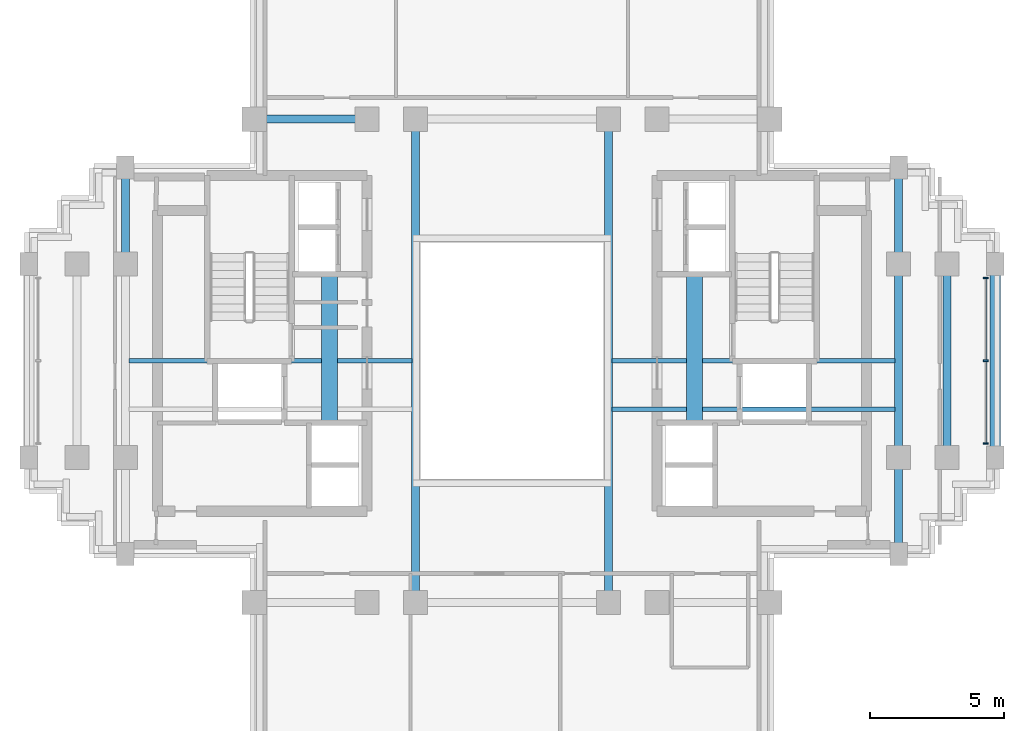
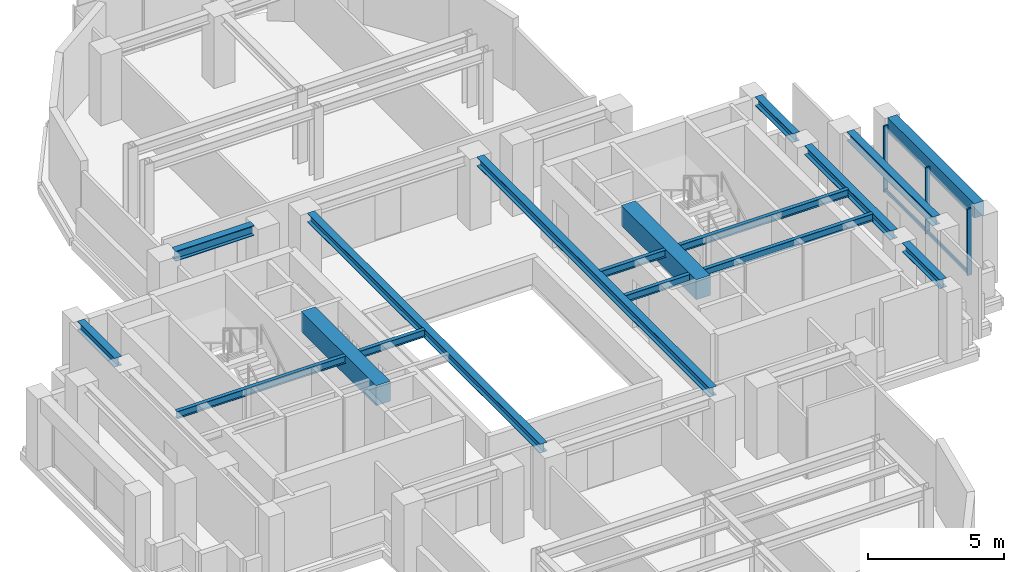
# One storey, part 3 of 11: 14 beams, 5 members, 1 element without a shape of its own.
"""IFC4 building model written with IfcOpenShell, lengths in metres."""

from ifc_helpers import new_model, si_unit, direction, frame, origin, origin_2d, place, context, subcontext, project, spatial, rectangle, i_section, extrude, source, transform, mapped, material, material_profile, profile_set, type_object, element, aggregate, save


model = new_model("IFC4")

# Units and contexts
model_context = context("Model", 3, precision=1e-05, world=origin(), true_north=direction((0.0, 1.0)))
body_context = subcontext(model_context, "Body", "Model", "MODEL_VIEW")
ifc_project = project(units=[si_unit("LENGTHUNIT", "METRE"), si_unit("AREAUNIT", "SQUARE_METRE"), si_unit("VOLUMEUNIT", "CUBIC_METRE"), si_unit("PLANEANGLEUNIT", "RADIAN"), si_unit("MASSUNIT", "GRAM", prefix="KILO")], contexts=[model_context])

# Site, building, storey
site_placement = place(None, origin())
site = spatial("IfcSite", under=ifc_project, at=site_placement, CompositionType="ELEMENT")
building_placement = place(site_placement, origin())
building = spatial("IfcBuilding", under=site, at=building_placement, Name="Keilestroom Media Tower", CompositionType="ELEMENT")
storey_placement = place(building_placement, frame((0.0, 0.0, 180.800048828125)))
storey = spatial("IfcBuildingStorey", under=building, at=storey_placement, Name="L49", CompositionType="ELEMENT", Elevation=180.800048828125)

# Beams
ifc_material_1 = material(Name="Concrete C70/85", Category="concrete")
ifc_material_profile_1 = material_profile(ifc_material_1, rectangle(XDim=0.60009765625, YDim=0.89990234375, at=origin_2d()), Name="RC 600x900")
ifc_profile_set_1 = profile_set([ifc_material_profile_1], Name="Concrete C70/85")
beam_type_1 = type_object("IfcBeamType", Name="Core-Coupling-Lintel-Beam-RC-600x900", PredefinedType="LINTEL", material=ifc_profile_set_1)
shared_shape_1 = source(origin(), body_context, "Body", "SweptSolid", [
    extrude(rectangle(XDim=0.60009765625, YDim=0.89990234375, at=origin_2d()), origin(), (0.0, 0.0, 1.0), 5.52001953125),
])
for number, where, z_axis, x_axis, name in (
    (1, (-6.800048828125, -2.300048828125, 2.75), (0.0, 1.0, 0.0), (-1.0, 0.0, 0.0), "L49 Beam CLB-1 CLB-L49-W"),
    (2, (6.800048828125, -2.300048828125, 2.75), (0.0, 1.0, 0.0), (-1.0, 0.0, 0.0), "L49 Beam CLB-1 CLB-L49-E"),
):
    element("IfcBeam", number, at=place(storey_placement, frame(where, z_axis=z_axis, x_axis=x_axis)), inside=storey, type_object=beam_type_1, Name=name, PredefinedType="LINTEL", context=body_context, shape_type="MappedRepresentation", body=[
        mapped(shared_shape_1, transform((0.0, 0.0, 0.0), x_axis=(1.0, 0.0, 0.0), y_axis=(0.0, 1.0, 0.0), z_axis=(0.0, 0.0, 1.0), scale=1.0)),
    ])
ifc_material_2 = material(Name="Steel S355", Category="steel")
ifc_material_profile_2 = material_profile(ifc_material_2, i_section(OverallWidth=0.300048828125, OverallDepth=0.449951171875, WebThickness=0.011962890625, FlangeThickness=0.02587890625, at=origin_2d()), Name="HEB 450")
ifc_profile_set_2 = profile_set([ifc_material_profile_2], Name="Steel S355")
beam_type_2 = type_object("IfcBeamType", Name="Primary-Structural-Girder-HEB-450", PredefinedType="BEAM", material=ifc_profile_set_2)
shared_shape_2 = source(origin(), body_context, "Body", "SweptSolid", [
    extrude(i_section(OverallWidth=0.300048828125, OverallDepth=0.449951171875, WebThickness=0.011962890625, FlangeThickness=0.02587890625, at=origin_2d()), origin(), (0.0, 0.0, 1.0), 3.33984375),
])
beam_1_placement = place(storey_placement, frame((-9.169921875, 9.0, 2.974853515625), z_axis=(1.0, 0.0, 0.0), x_axis=(0.0, 1.0, 0.0)))
element("IfcBeam", 3, at=beam_1_placement, inside=storey, type_object=beam_type_2, Name="L49 Beam BG-7 BM-L49-EW-020", PredefinedType="BEAM", context=body_context, shape_type="MappedRepresentation", body=[
    mapped(shared_shape_2, transform((0.0, 0.0, 0.0), x_axis=(1.0, 0.0, 0.0), y_axis=(0.0, 1.0, 0.0), z_axis=(0.0, 0.0, 1.0), scale=1.0)),
])
ifc_material_3 = material(Name="Precast concrete C40/50", Category="concrete")
ifc_material_profile_3 = material_profile(ifc_material_3, rectangle(XDim=0.39990234375, YDim=0.64990234375, at=origin_2d()), Name="PC 400x650")
ifc_profile_set_3 = profile_set([ifc_material_profile_3], Name="Precast concrete C40/50")
beam_type_3 = type_object("IfcBeamType", Name="Perimeter-Spandrel-Beam-PC-400x650", PredefinedType="SPANDREL", material=ifc_profile_set_3)
shared_shape_3 = source(origin(), body_context, "Body", "SweptSolid", [
    extrude(rectangle(XDim=0.39990234375, YDim=0.64990234375, at=origin_2d()), origin(), (0.0, 0.0, 1.0), 6.39013671875),
])
beam_2_placement = place(storey_placement, frame((18.0, -3.195068359375, 2.875), z_axis=(0.0, 1.0, 0.0), x_axis=(-1.0, 0.0, 0.0)))
element("IfcBeam", 4, at=beam_2_placement, inside=storey, type_object=beam_type_3, Name="L49 Beam SPB-2 BM-L49-NS-054", PredefinedType="SPANDREL", context=body_context, shape_type="MappedRepresentation", body=[
    mapped(shared_shape_3, transform((0.0, 0.0, 0.0), x_axis=(1.0, 0.0, 0.0), y_axis=(0.0, 1.0, 0.0), z_axis=(0.0, 0.0, 1.0), scale=1.0)),
])
ifc_material_profile_4 = material_profile(ifc_material_2, i_section(OverallWidth=0.300048828125, OverallDepth=0.39990234375, WebThickness=0.011474609375, FlangeThickness=0.02392578125, at=origin_2d()), Name="HEB 400")
ifc_profile_set_4 = profile_set([ifc_material_profile_4], Name="Steel S355")
beam_type_4 = type_object("IfcBeamType", Name="Primary-Structural-Girder-HEB-400", PredefinedType="BEAM", material=ifc_profile_set_4)
shared_shape_4 = source(origin(), body_context, "Body", "SweptSolid", [
    extrude(i_section(OverallWidth=0.300048828125, OverallDepth=0.39990234375, WebThickness=0.011474609375, FlangeThickness=0.02392578125, at=origin_2d()), origin(), (0.0, 0.0, 1.0), 6.33984375),
])
for number, where, z_axis, x_axis, name in (
    (5, (14.39990234375, -3.169921875, 3.0), (0.0, 1.0, 0.0), (-1.0, 0.0, 0.0), "L49 Beam BG-8 BM-L49-NS-051"),
    (6, (16.199951171875, -3.169921875, 3.0), (0.0, 1.0, 0.0), (-1.0, 0.0, 0.0), "L49 Beam BG-8 BM-L49-NS-053"),
):
    element("IfcBeam", number, at=place(storey_placement, frame(where, z_axis=z_axis, x_axis=x_axis)), inside=storey, type_object=beam_type_4, Name=name, PredefinedType="BEAM", context=body_context, shape_type="MappedRepresentation", body=[
        mapped(shared_shape_4, transform((0.0, 0.0, 0.0), x_axis=(1.0, 0.0, 0.0), y_axis=(0.0, 1.0, 0.0), z_axis=(0.0, 0.0, 1.0), scale=1.0)),
    ])
shared_shape_5 = source(origin(), body_context, "Body", "SweptSolid", [
    extrude(i_section(OverallWidth=0.300048828125, OverallDepth=0.39990234375, WebThickness=0.011474609375, FlangeThickness=0.02392578125, at=origin_2d()), origin(), (0.0, 0.0, 1.0), 2.764892578125),
])
for number, where, z_axis, x_axis, name in (
    (7, (-14.39990234375, 4.030029296875, 3.0), (0.0, 1.0, 0.0), (-1.0, 0.0, 0.0), "L49 Beam BG-8 BM-L49-NS-035"),
    (8, (14.39990234375, -6.794921875, 3.0), (0.0, 1.0, 0.0), (-1.0, 0.0, 0.0), "L49 Beam BG-8 BM-L49-NS-050"),
    (9, (14.39990234375, 4.030029296875, 3.0), (0.0, 1.0, 0.0), (-1.0, 0.0, 0.0), "L49 Beam BG-8 BM-L49-NS-052"),
):
    element("IfcBeam", number, at=place(storey_placement, frame(where, z_axis=z_axis, x_axis=x_axis)), inside=storey, type_object=beam_type_4, Name=name, PredefinedType="BEAM", context=body_context, shape_type="MappedRepresentation", body=[
        mapped(shared_shape_5, transform((0.0, 0.0, 0.0), x_axis=(1.0, 0.0, 0.0), y_axis=(0.0, 1.0, 0.0), z_axis=(0.0, 0.0, 1.0), scale=1.0)),
    ])
shared_shape_6 = source(origin(), body_context, "Body", "SweptSolid", [
    extrude(i_section(OverallWidth=0.300048828125, OverallDepth=0.39990234375, WebThickness=0.011474609375, FlangeThickness=0.02392578125, at=origin_2d()), origin(), (0.0, 0.0, 1.0), 17.14013671875),
])
for number, where, z_axis, x_axis, name in (
    (10, (-3.60009765625, -8.570068359375, 3.0), (0.0, 1.0, 0.0), (-1.0, 0.0, 0.0), "L49 Beam BG-8 BM-L49-NS-040"),
    (11, (3.60009765625, -8.570068359375, 3.0), (0.0, 1.0, 0.0), (-1.0, 0.0, 0.0), "L49 Beam BG-8 BM-L49-NS-045"),
):
    element("IfcBeam", number, at=place(storey_placement, frame(where, z_axis=z_axis, x_axis=x_axis)), inside=storey, type_object=beam_type_4, Name=name, PredefinedType="BEAM", context=body_context, shape_type="MappedRepresentation", body=[
        mapped(shared_shape_6, transform((0.0, 0.0, 0.0), x_axis=(1.0, 0.0, 0.0), y_axis=(0.0, 1.0, 0.0), z_axis=(0.0, 0.0, 1.0), scale=1.0)),
    ])
ifc_material_profile_5 = material_profile(ifc_material_2, i_section(OverallWidth=0.159912109375, OverallDepth=0.330078125, WebThickness=0.007568359375, FlangeThickness=0.011474609375, at=origin_2d()), Name="IPE 330")
ifc_profile_set_5 = profile_set([ifc_material_profile_5], Name="Steel S355")
beam_type_5 = type_object("IfcBeamType", Name="Secondary-Floor-Joist-IPE-330", PredefinedType="JOIST", material=ifc_profile_set_5)
shared_shape_7 = source(origin(), body_context, "Body", "SweptSolid", [
    extrude(i_section(OverallWidth=0.159912109375, OverallDepth=0.330078125, WebThickness=0.007568359375, FlangeThickness=0.011474609375, at=origin_2d()), origin(), (0.0, 0.0, 1.0), 10.5400390625),
])
for number, where, z_axis, x_axis, name in (
    (12, (3.72998046875, -1.800048828125, 3.034912109375), (1.0, 0.0, 0.0), (0.0, 1.0, 0.0), "L49 Beam BJ-6 JST-L49-059"),
    (13, (-14.27001953125, 0.0, 3.034912109375), (1.0, 0.0, 0.0), (0.0, 1.0, 0.0), "L49 Beam BJ-6 JST-L49-060"),
    (14, (3.72998046875, 0.0, 3.034912109375), (1.0, 0.0, 0.0), (0.0, 1.0, 0.0), "L49 Beam BJ-6 JST-L49-062"),
):
    element("IfcBeam", number, at=place(storey_placement, frame(where, z_axis=z_axis, x_axis=x_axis)), inside=storey, type_object=beam_type_5, Name=name, PredefinedType="JOIST", context=body_context, shape_type="MappedRepresentation", body=[
        mapped(shared_shape_7, transform((0.0, 0.0, 0.0), x_axis=(1.0, 0.0, 0.0), y_axis=(0.0, 1.0, 0.0), z_axis=(0.0, 0.0, 1.0), scale=1.0)),
    ])

# Curtain wall, members
ifc_material_4 = material(Name="Anodised Aluminium Alloy", Category="aluminium")
curtain_wall_type = type_object("IfcCurtainWallType", Name="Unitised-Curtain-Wall-CW-3", PredefinedType="NOTDEFINED", material=ifc_material_4)
curtain_wall_placement = place(storey_placement, origin())
curtain_wall = element("IfcCurtainWall", 15, at=curtain_wall_placement, inside=storey, type_object=curtain_wall_type, Name="L49 Curtain Wall CW-3 CW-L49-E-1", PredefinedType="NOTDEFINED")
ifc_material_profile_6 = material_profile(ifc_material_4, rectangle(XDim=0.06494140625, YDim=0.179931640625, at=origin_2d()), Name="ALU MULLION 65x180")
ifc_profile_set_6 = profile_set([ifc_material_profile_6], Name="Anodised Aluminium Alloy")
member_type_1 = type_object("IfcMemberType", Name="Curtain-Wall-Mullion-CW-3", PredefinedType="MULLION", material=ifc_profile_set_6)
shared_shape_8 = source(origin(), body_context, "Body", "SweptSolid", [
    extrude(rectangle(XDim=0.06494140625, YDim=0.179931640625, at=origin_2d()), origin(), (0.0, 0.0, 1.0), 2.97998046875),
])
member_1_placement = place(storey_placement, frame((17.64990234375, -3.08251953125, 0.0), z_axis=(0.0, 0.0, 1.0), x_axis=(0.0, 1.0, 0.0)))
member_1 = element("IfcMember", 16, at=member_1_placement, type_object=member_type_1, Name="CW-3 Mullion 00", PredefinedType="MULLION", context=body_context, shape_type="MappedRepresentation", body=[
    mapped(shared_shape_8, transform((0.0, 0.0, 0.0), x_axis=(1.0, 0.0, 0.0), y_axis=(0.0, 1.0, 0.0), z_axis=(0.0, 0.0, 1.0), scale=1.0)),
])
member_2_placement = place(storey_placement, frame((17.64990234375, 0.0, 0.0), z_axis=(0.0, 0.0, 1.0), x_axis=(0.0, 1.0, 0.0)))
member_2 = element("IfcMember", 17, at=member_2_placement, type_object=member_type_1, Name="CW-3 Mullion 01", PredefinedType="MULLION", context=body_context, shape_type="MappedRepresentation", body=[
    mapped(shared_shape_8, transform((0.0, 0.0, 0.0), x_axis=(1.0, 0.0, 0.0), y_axis=(0.0, 1.0, 0.0), z_axis=(0.0, 0.0, 1.0), scale=1.0)),
])
member_3_placement = place(storey_placement, frame((17.64990234375, 3.08251953125, 0.0), z_axis=(0.0, 0.0, 1.0), x_axis=(0.0, 1.0, 0.0)))
member_3 = element("IfcMember", 18, at=member_3_placement, type_object=member_type_1, Name="CW-3 Mullion 02", PredefinedType="MULLION", context=body_context, shape_type="MappedRepresentation", body=[
    mapped(shared_shape_8, transform((0.0, 0.0, 0.0), x_axis=(1.0, 0.0, 0.0), y_axis=(0.0, 1.0, 0.0), z_axis=(0.0, 0.0, 1.0), scale=1.0)),
])
ifc_material_profile_7 = material_profile(ifc_material_4, rectangle(XDim=0.06494140625, YDim=0.14990234375, at=origin_2d()), Name="ALU TRANSOM 65x150")
ifc_profile_set_7 = profile_set([ifc_material_profile_7], Name="Anodised Aluminium Alloy")
member_type_2 = type_object("IfcMemberType", Name="Curtain-Wall-Transom-CW-3", PredefinedType="USERDEFINED", material=ifc_profile_set_7)
shared_shape_9 = source(origin(), body_context, "Body", "SweptSolid", [
    extrude(rectangle(XDim=0.06494140625, YDim=0.14990234375, at=origin_2d()), origin(), (0.0, 0.0, 1.0), 3.021484375),
])
member_4_placement = place(storey_placement, frame((17.64990234375, -3.052001953125, 0.074951171875), z_axis=(0.0, 1.0, 0.0), x_axis=(-1.0, 0.0, 0.0)))
member_4 = element("IfcMember", 19, at=member_4_placement, type_object=member_type_2, Name="CW-3 Transom 00.1", ObjectType="TRANSOM", PredefinedType="USERDEFINED", context=body_context, shape_type="MappedRepresentation", body=[
    mapped(shared_shape_9, transform((0.0, 0.0, 0.0), x_axis=(1.0, 0.0, 0.0), y_axis=(0.0, 1.0, 0.0), z_axis=(0.0, 0.0, 1.0), scale=1.0)),
])
member_5_placement = place(storey_placement, frame((17.64990234375, 0.030517578125, 0.074951171875), z_axis=(0.0, 1.0, 0.0), x_axis=(-1.0, 0.0, 0.0)))
member_5 = element("IfcMember", 20, at=member_5_placement, type_object=member_type_2, Name="CW-3 Transom 01.1", ObjectType="TRANSOM", PredefinedType="USERDEFINED", context=body_context, shape_type="MappedRepresentation", body=[
    mapped(shared_shape_9, transform((0.0, 0.0, 0.0), x_axis=(1.0, 0.0, 0.0), y_axis=(0.0, 1.0, 0.0), z_axis=(0.0, 0.0, 1.0), scale=1.0)),
])
aggregate(curtain_wall, [member_1, member_2, member_3, member_4, member_5])

save(model, "model.ifc")
